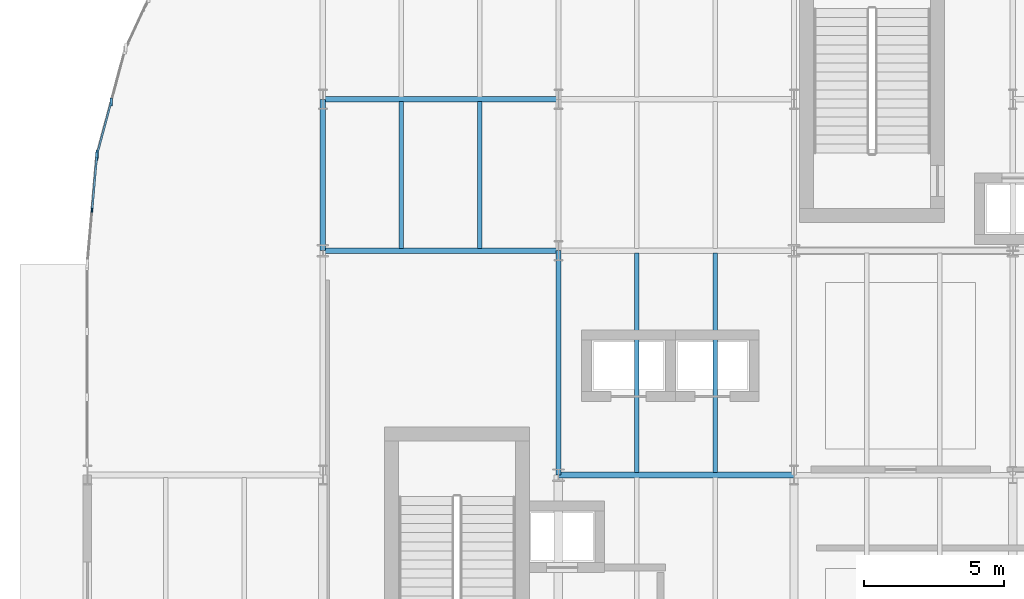
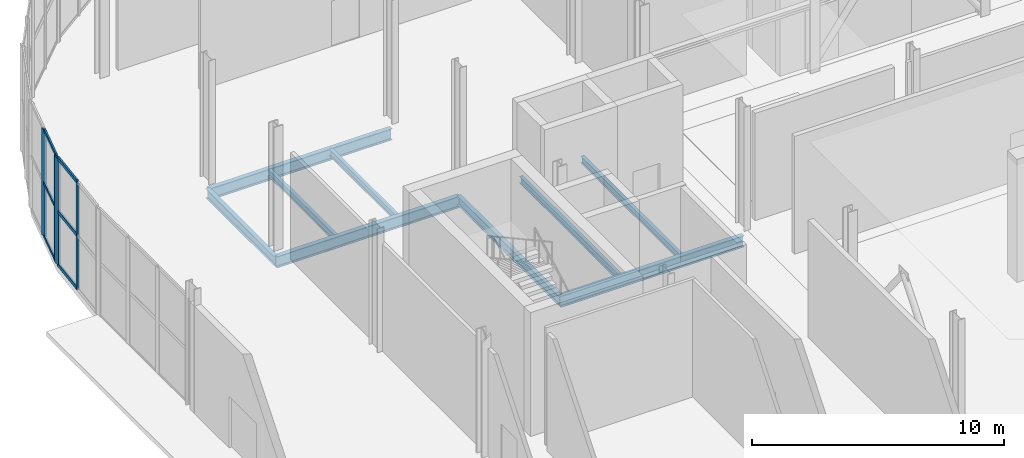
# One storey, part 30 of 84: 10 members, 9 beams, 2 elements without a shape of their own.
"""IFC4 building model written with IfcOpenShell, lengths in metres."""

from ifc_helpers import new_model, si_unit, direction, frame, origin, origin_2d, place, context, subcontext, project, spatial, rectangle, i_section, extrude, material, layer, layer_set, material_profile, profile_set, type_object, element, aggregate, save


model = new_model("IFC4")

# Units and contexts
model_context = context("Model", 3, precision=1e-05, world=origin(), true_north=direction((0.0, 1.0)))
body_context = subcontext(model_context, "Body", "Model", "MODEL_VIEW")
ifc_project = project(units=[si_unit("LENGTHUNIT", "METRE"), si_unit("AREAUNIT", "SQUARE_METRE"), si_unit("VOLUMEUNIT", "CUBIC_METRE"), si_unit("PLANEANGLEUNIT", "RADIAN"), si_unit("MASSUNIT", "GRAM", prefix="KILO")], contexts=[model_context])

# Site, building, storey
site_placement = place(None, origin())
site = spatial("IfcSite", under=ifc_project, at=site_placement, CompositionType="ELEMENT")
building_placement = place(site_placement, origin())
building = spatial("IfcBuilding", under=site, at=building_placement, Name="Sefraquen Railside Congress Hotel", CompositionType="ELEMENT")
storey_placement = place(building_placement, origin())
storey = spatial("IfcBuildingStorey", under=building, at=storey_placement, Name="L00", CompositionType="ELEMENT", Elevation=0.0)

# Beams
ifc_material_1 = material(Name="Steel S355JR", Category="steel")
ifc_material_profile_1 = material_profile(ifc_material_1, i_section(OverallWidth=0.18994140625, OverallDepth=0.449951171875, WebThickness=0.009521484375, FlangeThickness=0.0146484375, FilletRadius=0.02099609375, at=origin_2d()), Name="IPE 450")
ifc_profile_set_1 = profile_set([ifc_material_profile_1], Name="Steel S355JR")
beam_type_1 = type_object("IfcBeamType", Name="TB-BM-450", PredefinedType="BEAM", material=ifc_profile_set_1)
beam_1_placement = place(storey_placement, frame((8.39990234375, 96.0, -0.625), z_axis=(0.0, 1.0, 0.0), x_axis=(-1.0, 0.0, 0.0)))
element("IfcBeam", 1, at=beam_1_placement, inside=storey, type_object=beam_type_1, Name="Floor beam BM-L00-0180", PredefinedType="BEAM", context=body_context, shape_type="SweptSolid", body=[
    extrude(i_section(OverallWidth=0.18994140625, OverallDepth=0.449951171875, WebThickness=0.009521484375, FlangeThickness=0.0146484375, FilletRadius=0.02099609375, at=origin_2d()), origin(), (0.0, 0.0, 1.0), 5.39990234375),
])
beam_2_placement = place(storey_placement, frame((16.800048828125, 88.0, -0.625), z_axis=(0.0, 1.0, 0.0), x_axis=(-1.0, 0.0, 0.0)))
element("IfcBeam", 2, at=beam_2_placement, inside=storey, type_object=beam_type_1, Name="Floor beam BM-L00-0185", PredefinedType="BEAM", context=body_context, shape_type="SweptSolid", body=[
    extrude(i_section(OverallWidth=0.18994140625, OverallDepth=0.449951171875, WebThickness=0.009521484375, FlangeThickness=0.0146484375, FilletRadius=0.02099609375, at=origin_2d()), origin(), (0.0, 0.0, 1.0), 8.0),
])
ifc_material_profile_2 = material_profile(ifc_material_1, i_section(OverallWidth=0.2099609375, OverallDepth=0.550048828125, WebThickness=0.010986328125, FlangeThickness=0.01708984375, FilletRadius=0.02392578125, at=origin_2d()), Name="IPE 550")
ifc_profile_set_2 = profile_set([ifc_material_profile_2], Name="Steel S355JR")
beam_type_2 = type_object("IfcBeamType", Name="TB-GIR-550", PredefinedType="T_BEAM", material=ifc_profile_set_2)
beam_3_placement = place(storey_placement, frame((16.800048828125, 88.0, -0.675048828125), z_axis=(1.0, 0.0, 0.0), x_axis=(0.0, 1.0, 0.0)))
element("IfcBeam", 3, at=beam_3_placement, inside=storey, type_object=beam_type_2, Name="Primary girder BM-L00-0100", PredefinedType="T_BEAM", context=body_context, shape_type="SweptSolid", body=[
    extrude(i_section(OverallWidth=0.2099609375, OverallDepth=0.550048828125, WebThickness=0.010986328125, FlangeThickness=0.01708984375, FilletRadius=0.02392578125, at=origin_2d()), origin(), (0.0, 0.0, 1.0), 8.39990234375),
])
for number, where, z_axis, x_axis, name in (
    (4, (8.39990234375, 96.0, -0.675048828125), (1.0, 0.0, 0.0), (0.0, 1.0, 0.0), "Primary girder BM-L00-0115"),
    (5, (8.39990234375, 101.39990234375, -0.675048828125), (1.0, 0.0, 0.0), (0.0, 1.0, 0.0), "Primary girder BM-L00-0135"),
):
    element("IfcBeam", number, at=place(storey_placement, frame(where, z_axis=z_axis, x_axis=x_axis)), inside=storey, type_object=beam_type_2, Name=name, PredefinedType="T_BEAM", context=body_context, shape_type="SweptSolid", body=[
        extrude(i_section(OverallWidth=0.2099609375, OverallDepth=0.550048828125, WebThickness=0.010986328125, FlangeThickness=0.01708984375, FilletRadius=0.02392578125, at=origin_2d()), origin(), (0.0, 0.0, 1.0), 8.400146484375),
    ])
ifc_material_profile_3 = material_profile(ifc_material_1, i_section(OverallWidth=0.159912109375, OverallDepth=0.330078125, WebThickness=0.007568359375, FlangeThickness=0.011474609375, FilletRadius=0.01806640625, at=origin_2d()), Name="IPE 330")
ifc_profile_set_3 = profile_set([ifc_material_profile_3], Name="Steel S355JR")
beam_type_3 = type_object("IfcBeamType", Name="TB-JST-330", PredefinedType="JOIST", material=ifc_profile_set_3)
for number, where, z_axis, x_axis, name in (
    (6, (11.199951171875, 96.0849609375, -0.56494140625), (0.0, 1.0, 0.0), (-1.0, 0.0, 0.0), "Composite floor joist BM-L00-J0011"),
    (7, (14.0, 96.0849609375, -0.56494140625), (0.0, 1.0, 0.0), (-1.0, 0.0, 0.0), "Composite floor joist BM-L00-J0012"),
):
    element("IfcBeam", number, at=place(storey_placement, frame(where, z_axis=z_axis, x_axis=x_axis)), inside=storey, type_object=beam_type_3, Name=name, PredefinedType="JOIST", context=body_context, shape_type="SweptSolid", body=[
        extrude(i_section(OverallWidth=0.159912109375, OverallDepth=0.330078125, WebThickness=0.007568359375, FlangeThickness=0.011474609375, FilletRadius=0.01806640625, at=origin_2d()), origin(), (0.0, 0.0, 1.0), 5.22998046875),
    ])
for number, where, z_axis, x_axis, name in (
    (8, (19.60009765625, 88.0849609375, -0.56494140625), (0.0, 1.0, 0.0), (-1.0, 0.0, 0.0), "Composite floor joist BM-L00-J0021"),
    (9, (22.39990234375, 88.0849609375, -0.56494140625), (0.0, 1.0, 0.0), (-1.0, 0.0, 0.0), "Composite floor joist BM-L00-J0022"),
):
    element("IfcBeam", number, at=place(storey_placement, frame(where, z_axis=z_axis, x_axis=x_axis)), inside=storey, type_object=beam_type_3, Name=name, PredefinedType="JOIST", context=body_context, shape_type="SweptSolid", body=[
        extrude(i_section(OverallWidth=0.159912109375, OverallDepth=0.330078125, WebThickness=0.007568359375, FlangeThickness=0.011474609375, FilletRadius=0.01806640625, at=origin_2d()), origin(), (0.0, 0.0, 1.0), 7.830078125),
    ])

# Curtain wall, member
ifc_material_2 = material(Name="Thermally broken anodised aluminium and low-E double glazing", Category="aluminium")
ifc_layer_1 = layer(ifc_material_2, 0.199951171875)
ifc_layer_set_1 = layer_set([ifc_layer_1], Name="Thermally broken anodised aluminium and low-E double glazing")
curtain_wall_type_1 = type_object("IfcCurtainWallType", Name="TCW-UCW-04", PredefinedType="USERDEFINED", material=ifc_layer_set_1)
curtain_wall_1_placement = place(storey_placement, origin())
curtain_wall_1 = element("IfcCurtainWall", 10, at=curtain_wall_1_placement, inside=storey, type_object=curtain_wall_type_1, Name="Rotunda L00 curved curtain wall facet 9", ObjectType="UNITISED CURTAIN WALL", PredefinedType="USERDEFINED")
ifc_material_3 = material(Name="Thermally broken anodised aluminium 6063-T6", Category="aluminium")
ifc_material_profile_4 = material_profile(ifc_material_3, rectangle(XDim=0.06005859375, YDim=0.159912109375, at=origin_2d()), Name="CWM 60x160")
ifc_profile_set_4 = profile_set([ifc_material_profile_4], Name="Thermally broken anodised aluminium 6063-T6")
member_type_1 = type_object("IfcMemberType", Name="TM-CWM-01", PredefinedType="MULLION", material=ifc_profile_set_4)
member_1_placement = place(storey_placement, frame((0.1708984375, 97.45361328125, 0.0), z_axis=(0.0, 0.0, 1.0), x_axis=(1.0, 0.0, 0.0)))
member_1 = element("IfcMember", 11, at=member_1_placement, type_object=member_type_1, Name="CW-L00-ROT-09 mullion 2", PredefinedType="MULLION", context=body_context, shape_type="SweptSolid", body=[
    extrude(rectangle(XDim=0.06005859375, YDim=0.159912109375, at=origin_2d()), origin(), (0.0, 0.0, 1.0), 5.14990234375),
])

# Curtain wall, members
ifc_layer_2 = layer(ifc_material_2, 0.199951171875)
ifc_layer_set_2 = layer_set([ifc_layer_2], Name="Thermally broken anodised aluminium and low-E double glazing")
curtain_wall_type_2 = type_object("IfcCurtainWallType", Name="TCW-UCW-03", PredefinedType="USERDEFINED", material=ifc_layer_set_2)
curtain_wall_2_placement = place(storey_placement, origin())
curtain_wall_2 = element("IfcCurtainWall", 12, at=curtain_wall_2_placement, inside=storey, type_object=curtain_wall_type_2, Name="Rotunda L00 curved curtain wall facet 8", ObjectType="UNITISED CURTAIN WALL", PredefinedType="USERDEFINED")
ifc_material_profile_5 = material_profile(ifc_material_3, rectangle(XDim=0.090087890625, YDim=0.280029296875, at=origin_2d()), Name="CWM 90x280")
ifc_profile_set_5 = profile_set([ifc_material_profile_5], Name="Thermally broken anodised aluminium 6063-T6")
member_type_2 = type_object("IfcMemberType", Name="TM-CWM-07", PredefinedType="MULLION", material=ifc_profile_set_5)
member_2_placement = place(storey_placement, frame((0.849365234375, 101.30126953125, 0.0), z_axis=(0.0, 0.0, 1.0), x_axis=(1.0, 0.0, 0.0)))
member_2 = element("IfcMember", 13, at=member_2_placement, type_object=member_type_2, Name="CW-L00-ROT-08 mullion 2", PredefinedType="MULLION", context=body_context, shape_type="SweptSolid", body=[
    extrude(rectangle(XDim=0.090087890625, YDim=0.280029296875, at=origin_2d()), origin(), (0.0, 0.0, 1.0), 5.14990234375),
])
ifc_material_profile_6 = material_profile(ifc_material_3, rectangle(XDim=0.094970703125, YDim=0.300048828125, at=origin_2d()), Name="CWM 95x300")
ifc_profile_set_6 = profile_set([ifc_material_profile_6], Name="Thermally broken anodised aluminium 6063-T6")
member_type_3 = type_object("IfcMemberType", Name="TM-CWM-08", PredefinedType="MULLION", material=ifc_profile_set_6)
member_3_placement = place(storey_placement, frame((0.352294921875, 99.44580078125, 0.0), z_axis=(0.0, 0.0, 1.0), x_axis=(1.0, 0.0, 0.0)))
member_3 = element("IfcMember", 14, at=member_3_placement, type_object=member_type_3, Name="CW-L00-ROT-08 mullion 3", PredefinedType="MULLION", context=body_context, shape_type="SweptSolid", body=[
    extrude(rectangle(XDim=0.094970703125, YDim=0.300048828125, at=origin_2d()), origin(), (0.0, 0.0, 1.0), 5.14990234375),
])

# Member
member_4_placement = place(storey_placement, frame((0.33837890625, 99.3671875, 0.0), z_axis=(0.0, 0.0, 1.0), x_axis=(1.0, 0.0, 0.0)))
member_4 = element("IfcMember", 15, at=member_4_placement, type_object=member_type_3, Name="CW-L00-ROT-09 mullion 1", PredefinedType="MULLION", context=body_context, shape_type="SweptSolid", body=[
    extrude(rectangle(XDim=0.094970703125, YDim=0.300048828125, at=origin_2d()), origin(), (0.0, 0.0, 1.0), 5.14990234375),
])

ifc_material_profile_7 = material_profile(ifc_material_3, rectangle(XDim=0.070068359375, YDim=0.14990234375, at=origin_2d()), Name="CWT 70x150")
ifc_profile_set_7 = profile_set([ifc_material_profile_7], Name="Thermally broken anodised aluminium 6063-T6")
member_type_4 = type_object("IfcMemberType", Name="TM-CWT-03", PredefinedType="USERDEFINED", material=ifc_profile_set_7)
member_5_placement = place(storey_placement, frame((0.837646484375, 101.2578125, 0.0), z_axis=(-0.258816065499, -0.965926624666, 0.0), x_axis=(0.965926624666, -0.258816065499, 0.0)))
member_5 = element("IfcMember", 16, at=member_5_placement, type_object=member_type_4, Name="CW-L00-ROT-08 transom 1.2", ObjectType="TRANSOM", PredefinedType="USERDEFINED", context=body_context, shape_type="SweptSolid", body=[
    extrude(rectangle(XDim=0.070068359375, YDim=0.14990234375, at=origin_2d()), origin(), (0.0, 0.0, 1.0), 1.8310546875),
])

member_6_placement = place(storey_placement, frame((0.837646484375, 101.2578125, 2.574951171875), z_axis=(-0.258816065499, -0.965926624666, 0.0), x_axis=(0.965926624666, -0.258816065499, 0.0)))
member_6 = element("IfcMember", 17, at=member_6_placement, type_object=member_type_4, Name="CW-L00-ROT-08 transom 2.2", ObjectType="TRANSOM", PredefinedType="USERDEFINED", context=body_context, shape_type="SweptSolid", body=[
    extrude(rectangle(XDim=0.070068359375, YDim=0.14990234375, at=origin_2d()), origin(), (0.0, 0.0, 1.0), 1.8310546875),
])

member_7_placement = place(storey_placement, frame((0.837646484375, 101.2578125, 5.14990234375), z_axis=(-0.258816065499, -0.965926624666, 0.0), x_axis=(0.965926624666, -0.258816065499, 0.0)))
member_7 = element("IfcMember", 18, at=member_7_placement, type_object=member_type_4, Name="CW-L00-ROT-08 transom 3.2", ObjectType="TRANSOM", PredefinedType="USERDEFINED", context=body_context, shape_type="SweptSolid", body=[
    extrude(rectangle(XDim=0.070068359375, YDim=0.14990234375, at=origin_2d()), origin(), (0.0, 0.0, 1.0), 1.8310546875),
])

aggregate(curtain_wall_2, [member_2, member_3, member_5, member_6, member_7])

ifc_material_profile_8 = material_profile(ifc_material_3, rectangle(XDim=0.074951171875, YDim=0.1650390625, at=origin_2d()), Name="CWT 75x165")
ifc_profile_set_8 = profile_set([ifc_material_profile_8], Name="Thermally broken anodised aluminium 6063-T6")
member_type_5 = type_object("IfcMemberType", Name="TM-CWT-04", PredefinedType="USERDEFINED", material=ifc_profile_set_8)
member_8_placement = place(storey_placement, frame((0.33447265625, 99.322509765625, 0.0), z_axis=(-0.087193412302, -0.996191401715, 0.0), x_axis=(0.996191401715, -0.087193412302, 0.0)))
member_8 = element("IfcMember", 19, at=member_8_placement, type_object=member_type_5, Name="CW-L00-ROT-09 transom 1.1", ObjectType="TRANSOM", PredefinedType="USERDEFINED", context=body_context, shape_type="SweptSolid", body=[
    extrude(rectangle(XDim=0.074951171875, YDim=0.1650390625, at=origin_2d()), origin(), (0.0, 0.0, 1.0), 1.831298828125),
])

member_9_placement = place(storey_placement, frame((0.33447265625, 99.322509765625, 2.574951171875), z_axis=(-0.087193412302, -0.996191401715, 0.0), x_axis=(0.996191401715, -0.087193412302, 0.0)))
member_9 = element("IfcMember", 20, at=member_9_placement, type_object=member_type_5, Name="CW-L00-ROT-09 transom 2.1", ObjectType="TRANSOM", PredefinedType="USERDEFINED", context=body_context, shape_type="SweptSolid", body=[
    extrude(rectangle(XDim=0.074951171875, YDim=0.1650390625, at=origin_2d()), origin(), (0.0, 0.0, 1.0), 1.831298828125),
])

member_10_placement = place(storey_placement, frame((0.33447265625, 99.322509765625, 5.14990234375), z_axis=(-0.087193412302, -0.996191401715, 0.0), x_axis=(0.996191401715, -0.087193412302, 0.0)))
member_10 = element("IfcMember", 21, at=member_10_placement, type_object=member_type_5, Name="CW-L00-ROT-09 transom 3.1", ObjectType="TRANSOM", PredefinedType="USERDEFINED", context=body_context, shape_type="SweptSolid", body=[
    extrude(rectangle(XDim=0.074951171875, YDim=0.1650390625, at=origin_2d()), origin(), (0.0, 0.0, 1.0), 1.831298828125),
])

aggregate(curtain_wall_1, [member_4, member_1, member_8, member_9, member_10])

save(model, "model.ifc")
